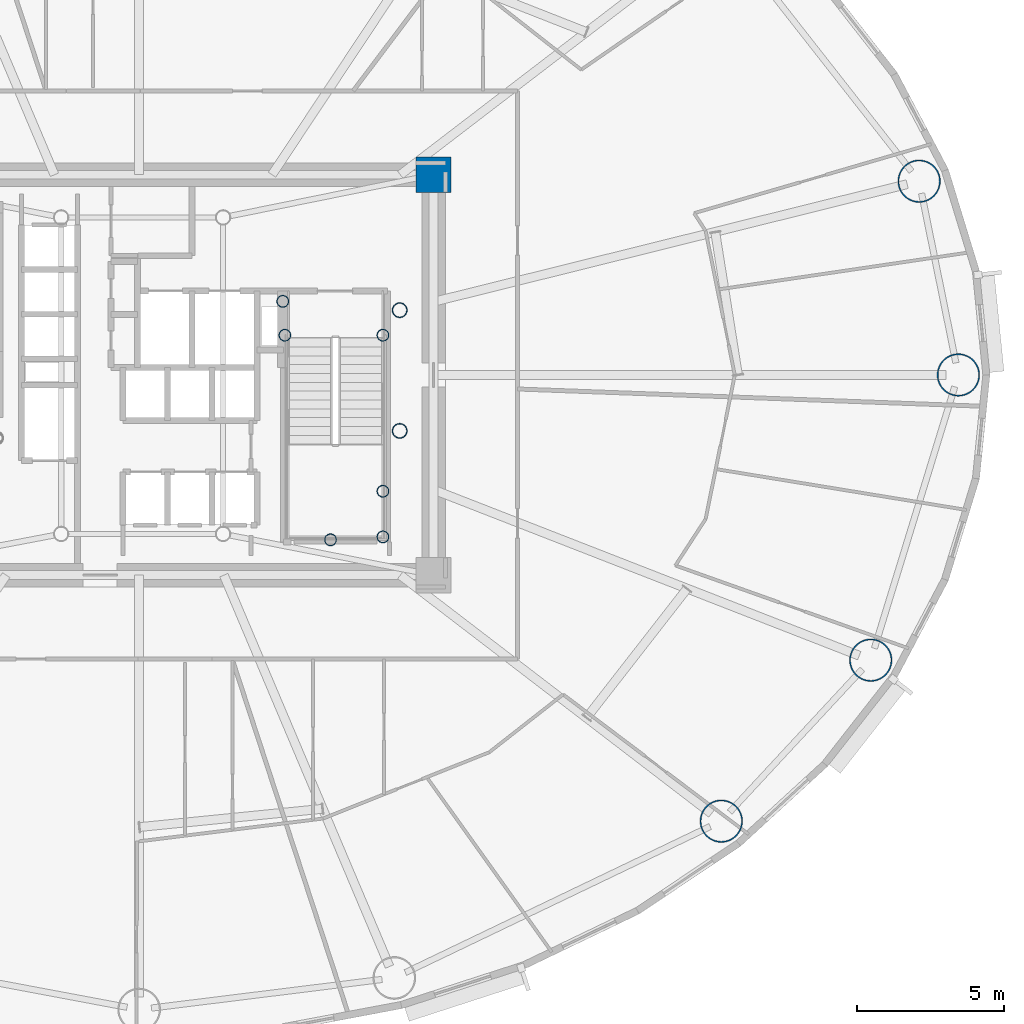
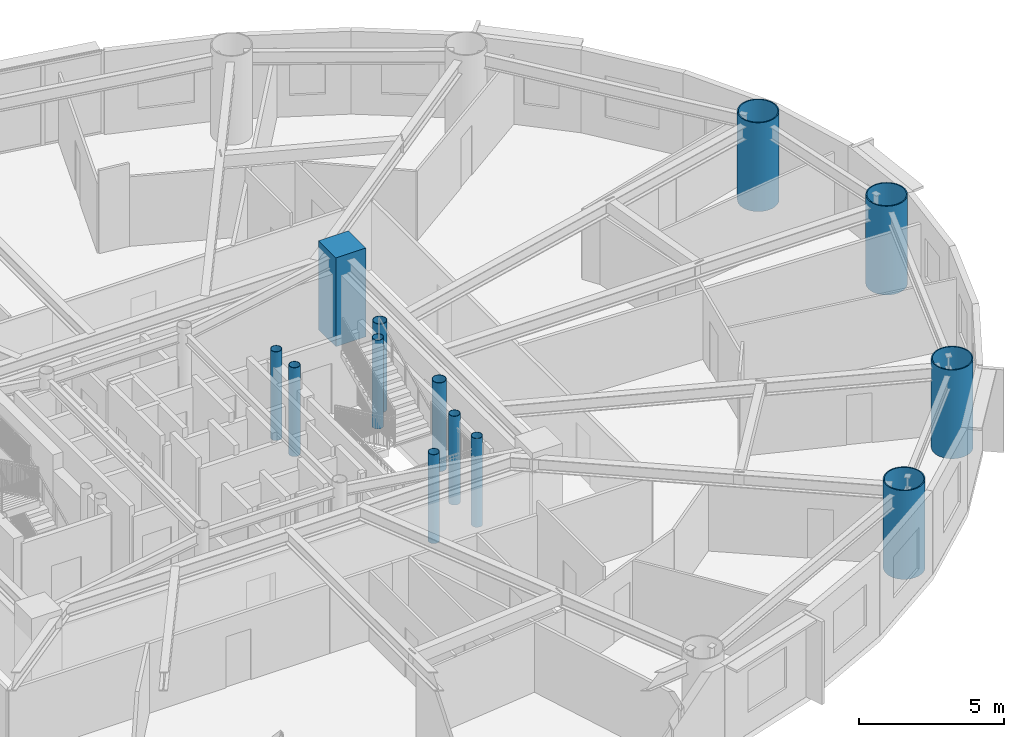
# One storey, part 2 of 19: 13 columns.
"""IFC4 building model written with IfcOpenShell, lengths in metres."""

from ifc_helpers import new_model, si_unit, direction, frame, origin, origin_2d, place, context, subcontext, project, spatial, rectangle, hollow_circle, extrude, material, material_profile, profile_set, type_object, element, save


model = new_model("IFC4")

# Units and contexts
model_context = context("Model", 3, precision=1e-05, world=origin(), true_north=direction((0.0, 1.0)))
body_context = subcontext(model_context, "Body", "Model", "MODEL_VIEW")
ifc_project = project(units=[si_unit("LENGTHUNIT", "METRE"), si_unit("AREAUNIT", "SQUARE_METRE"), si_unit("VOLUMEUNIT", "CUBIC_METRE"), si_unit("PLANEANGLEUNIT", "RADIAN"), si_unit("MASSUNIT", "GRAM", prefix="KILO")], contexts=[model_context])

# Site, building, storey
site_placement = place(None, origin())
site = spatial("IfcSite", under=ifc_project, at=site_placement, CompositionType="ELEMENT")
building_placement = place(site_placement, origin())
building = spatial("IfcBuilding", under=site, at=building_placement, Name="Linh Dai School and Residence Tower", CompositionType="ELEMENT")
storey_placement = place(building_placement, frame((0.0, 0.0, 112.199951171875)))
storey = spatial("IfcBuildingStorey", under=building, at=storey_placement, Name="L26", CompositionType="ELEMENT", Elevation=112.199951171875)

# Columns
ifc_material_1 = material(Name="Concrete B60 (C50/60)", Category="concrete")
ifc_material_profile_1 = material_profile(ifc_material_1, rectangle(XDim=1.199951171875, YDim=1.199951171875, at=origin_2d()), Name="RC 1200x1200")
ifc_profile_set_1 = profile_set([ifc_material_profile_1], Name="Concrete B60 (C50/60)")
column_type_1 = type_object("IfcColumnType", Name="COL-CC2", PredefinedType="COLUMN", material=ifc_profile_set_1)
column_placement = place(storey_placement, frame((46.0, 33.800048828125, 0.0), z_axis=(0.0, 0.0, 1.0), x_axis=(1.0, 0.0, 0.0)))
element("IfcColumn", 1, at=column_placement, inside=storey, type_object=column_type_1, Name="L26 Core Corner Pier CC3", PredefinedType="COLUMN", context=body_context, shape_type="SweptSolid", body=[
    extrude(rectangle(XDim=1.199951171875, YDim=1.199951171875, at=origin_2d()), origin(), (0.0, 0.0, 1.0), 3.75),
])
ifc_material_2 = material(Name="Structural Steel S355JR", Category="steel")
ifc_material_profile_2 = material_profile(ifc_material_2, hollow_circle(Radius=0.203125, WallThickness=0.01611328125, at=origin_2d()), Name="CHS 406.4x16")
ifc_profile_set_2 = profile_set([ifc_material_profile_2], Name="Structural Steel S355JR")
column_type_2 = type_object("IfcColumnType", Name="COL-EC", PredefinedType="COLUMN", material=ifc_profile_set_2)
for number, where, z_axis, x_axis, name in (
    (2, (44.280029296875, 21.5, 0.0), (0.0, 0.0, 1.0), (1.0, 0.0, 0.0), "L26 Stair Shaft Landing Support Pier ST2SE"),
    (3, (44.280029296875, 23.050048828125, 0.0), (0.0, 0.0, 1.0), (1.0, 0.0, 0.0), "L26 Stair Shaft Landing Support Pier ST2NE"),
    (4, (42.5, 21.39990234375, 0.0), (0.0, 0.0, 1.0), (1.0, 0.0, 0.0), "L26 Stair Shaft Landing Support Pier ST2MS"),
    (5, (40.949951171875, 28.35009765625, 0.0), (0.0, 0.0, 1.0), (1.0, 0.0, 0.0), "L26 Stair Shaft Landing Support Pier ST2N1"),
    (6, (44.280029296875, 28.35009765625, 0.0), (0.0, 0.0, 1.0), (1.0, 0.0, 0.0), "L26 Stair Shaft Landing Support Pier ST2N2"),
    (7, (40.8798828125, 29.5, 0.0), (0.0, 0.0, 1.0), (1.0, 0.0, 0.0), "L26 Stair Shaft Landing Support Pier ST2N3"),
):
    element("IfcColumn", number, at=place(storey_placement, frame(where, z_axis=z_axis, x_axis=x_axis)), inside=storey, type_object=column_type_2, Name=name, PredefinedType="COLUMN", context=body_context, shape_type="SweptSolid", body=[
        extrude(hollow_circle(Radius=0.203125, WallThickness=0.01611328125, at=origin_2d()), origin(), (0.0, 0.0, 1.0), 3.75),
    ])
ifc_material_profile_3 = material_profile(ifc_material_2, hollow_circle(Radius=0.72509765625, WallThickness=0.0419921875, at=origin_2d()), Name="CHS 1450x42")
ifc_profile_set_3 = profile_set([ifc_material_profile_3], Name="Structural Steel S355JR")
column_type_3 = type_object("IfcColumnType", Name="COL-MC3", PredefinedType="COLUMN", material=ifc_profile_set_3)
for number, where, z_axis, x_axis, name in (
    (8, (63.824951171875, 27.0, 0.0), (0.0, 0.0, 1.0), (1.0, 0.0, 0.0), "L26 Perimeter CFT Mega-Column MC01"),
    (9, (62.49267578125, 33.5810546875, 0.0), (0.0, 0.0, 1.0), (1.0, 0.0, 0.0), "L26 Perimeter CFT Mega-Column MC02"),
    (10, (55.772705078125, 11.844482421875, 0.0), (0.0, 0.0, 1.0), (1.0, 0.0, 0.0), "L26 Perimeter CFT Mega-Column MC15"),
    (11, (60.84912109375, 17.3125, 0.0), (0.0, 0.0, 1.0), (1.0, 0.0, 0.0), "L26 Perimeter CFT Mega-Column MC16"),
):
    element("IfcColumn", number, at=place(storey_placement, frame(where, z_axis=z_axis, x_axis=x_axis)), inside=storey, type_object=column_type_3, Name=name, PredefinedType="COLUMN", context=body_context, shape_type="SweptSolid", body=[
        extrude(hollow_circle(Radius=0.72509765625, WallThickness=0.0419921875, at=origin_2d()), origin(), (0.0, 0.0, 1.0), 3.75),
    ])
ifc_material_profile_4 = material_profile(ifc_material_2, hollow_circle(Radius=0.25390625, WallThickness=0.02001953125, at=origin_2d()), Name="CHS 508x20")
ifc_profile_set_4 = profile_set([ifc_material_profile_4], Name="Structural Steel S355JR")
column_type_4 = type_object("IfcColumnType", Name="COL-MCP", PredefinedType="COLUMN", material=ifc_profile_set_4)
for number, where, z_axis, x_axis, name in (
    (12, (44.85009765625, 25.10009765625, 0.0), (0.0, 0.0, 1.0), (1.0, 0.0, 0.0), "L26 Sky-Lounge Core Anchor Pier S"),
    (13, (44.85009765625, 29.199951171875, 0.0), (0.0, 0.0, 1.0), (1.0, 0.0, 0.0), "L26 Sky-Lounge Core Anchor Pier N"),
):
    element("IfcColumn", number, at=place(storey_placement, frame(where, z_axis=z_axis, x_axis=x_axis)), inside=storey, type_object=column_type_4, Name=name, PredefinedType="COLUMN", context=body_context, shape_type="SweptSolid", body=[
        extrude(hollow_circle(Radius=0.25390625, WallThickness=0.02001953125, at=origin_2d()), origin(), (0.0, 0.0, 1.0), 3.75),
    ])

save(model, "model.ifc")
